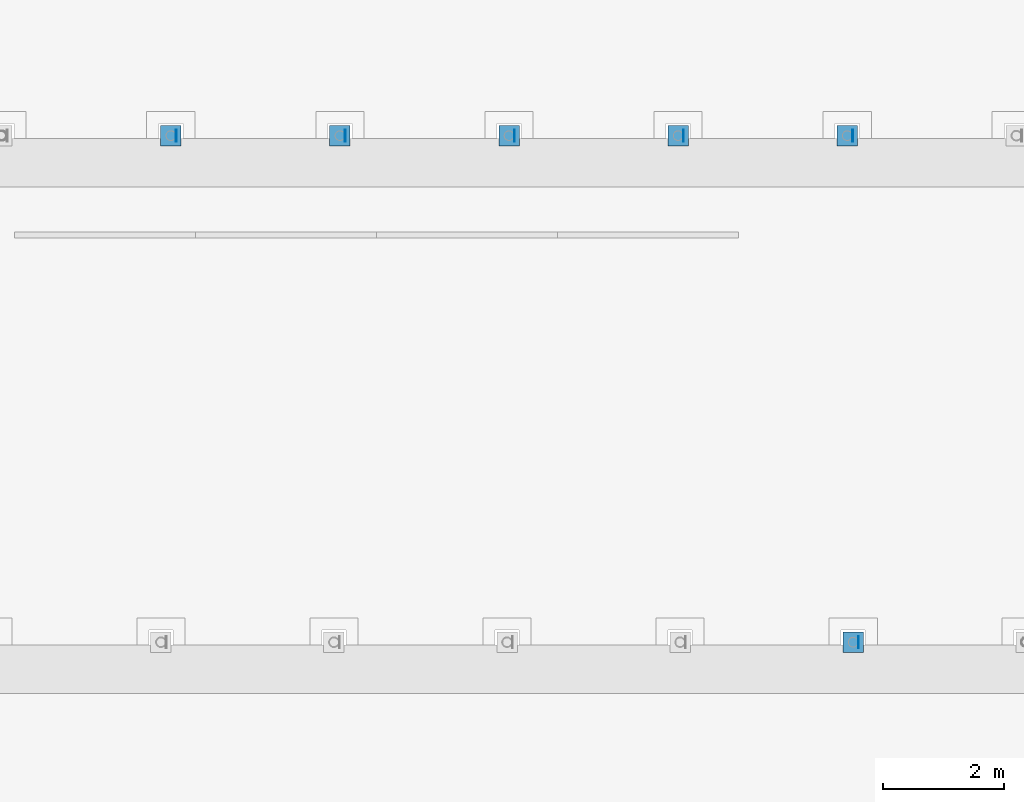
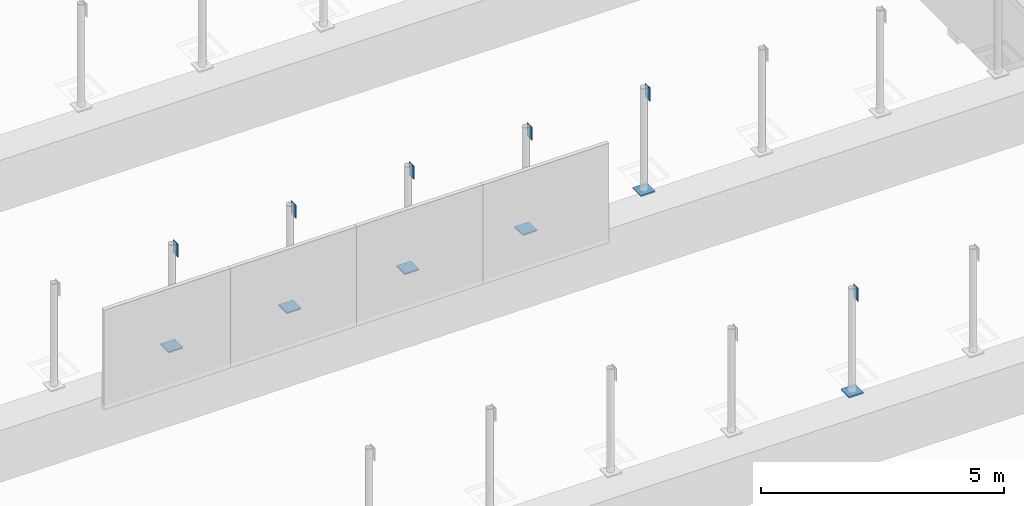
# One storey, part 35 of 47: 12 discrete accessories.
"""IFC4 building model written with IfcOpenShell, lengths in metres."""

import ifcopenshell
import ifcopenshell.guid

model = None  # the IFC model being written
_history = None  # IfcOwnerHistory: only IFC2X3 demands one
_inside = {}  # id of a spatial element -> (the spatial element, [elements in it])
_under = {}  # id of a project, library or spatial element -> (it, [spatial elements below it])
_declared = {}  # id of a project -> (the project, [libraries it declares])
_typed = {}  # id of a type object -> (the type object, [elements of that type])
_made_of = {}  # id of a material, layer set ... -> (it, [elements and type objects made of it])


def new_model(schema):
    """Start an empty IFC model of exactly this schema.

    Asked for "IFC4X3", IfcOpenShell would pick the latest addendum, in which some entities
    have other attributes; the version numbers below select the first issue.
    IFC2X3 requires an IfcOwnerHistory on every rooted entity: one is made here for all.
    """
    global model, _history
    if schema == "IFC4X3":
        model = ifcopenshell.file(schema_version=(4, 3, 0, 0))
    else:
        model = ifcopenshell.file(schema=schema)
    _inside.clear()
    _under.clear()
    _declared.clear()
    _typed.clear()
    _made_of.clear()
    _history = None
    if model.schema == "IFC2X3":
        org = make("IfcOrganization", Name="unknown")
        user = make(
            "IfcPersonAndOrganization",
            ThePerson=make("IfcPerson", FamilyName="unknown"),
            TheOrganization=org,
        )
        app = make(
            "IfcApplication",
            ApplicationDeveloper=org,
            Version="unknown",
            ApplicationFullName="unknown",
            ApplicationIdentifier="unknown",
        )
        _history = make(
            "IfcOwnerHistory",
            OwningUser=user,
            OwningApplication=app,
            ChangeAction="ADDED",
            CreationDate=0,
        )
    return model


def make(cls, **values):
    """One entity of the class cls with the attributes given. An attribute that is None is left unset."""
    return model.create_entity(
        cls, **{name: value for name, value in values.items() if value is not None}
    )


def rooted(cls, **values):
    """An entity with a GlobalId (a new one), such as an element, a storey or a relation."""
    return make(cls, GlobalId=ifcopenshell.guid.new(), OwnerHistory=_history, **values)


def si_unit(unit_type, name, prefix=None):
    """IfcSIUnit, for example si_unit("LENGTHUNIT", "METRE", prefix="MILLI")."""
    return make("IfcSIUnit", UnitType=unit_type, Prefix=prefix, Name=name)


def assignment(units):
    """IfcUnitAssignment: the units of a project."""
    return None if units is None else make("IfcUnitAssignment", Units=units)


def point(xyz):
    """IfcCartesianPoint."""
    return None if xyz is None else make("IfcCartesianPoint", Coordinates=xyz)


def direction(xyz):
    """IfcDirection."""
    return None if xyz is None else make("IfcDirection", DirectionRatios=xyz)


def frame(location, z_axis=None, x_axis=None):
    """IfcAxis2Placement3D, a coordinate frame: its origin and axes. An axis left out is left unset."""
    return make(
        "IfcAxis2Placement3D",
        Location=point(location),
        Axis=direction(z_axis),
        RefDirection=direction(x_axis),
    )


def frame_2d(location, x_axis=None):
    """IfcAxis2Placement2D, a coordinate frame in the plane: its origin and x axis."""
    return make(
        "IfcAxis2Placement2D", Location=point(location), RefDirection=direction(x_axis)
    )


def origin():
    """The frame at (0, 0, 0) with its axes left unset."""
    return frame((0.0, 0.0, 0.0))


def origin_2d():
    """The frame at (0, 0) in the plane with its x axis left unset."""
    return frame_2d((0.0, 0.0))


def place(relative_to, where):
    """IfcLocalPlacement: puts the frame where relative to a parent placement (None: the world)."""
    return make(
        "IfcLocalPlacement", PlacementRelTo=relative_to, RelativePlacement=where
    )


def context(
    kind, dimensions, precision=None, world=None, true_north=None, identifier=None
):
    """IfcGeometricRepresentationContext, for example the 3D "Model" context."""
    return make(
        "IfcGeometricRepresentationContext",
        ContextIdentifier=identifier,
        ContextType=kind,
        CoordinateSpaceDimension=dimensions,
        Precision=precision,
        WorldCoordinateSystem=world,
        TrueNorth=true_north,
    )


def subcontext(parent, identifier, kind, view, scale=None):
    """IfcGeometricRepresentationSubContext, for example "Body" below "Model"."""
    return make(
        "IfcGeometricRepresentationSubContext",
        ContextIdentifier=identifier,
        ContextType=kind,
        ParentContext=parent,
        TargetScale=scale,
        TargetView=view,
    )


def project(units=None, contexts=None):
    """IfcProject with its units and contexts."""
    return rooted(
        "IfcProject",
        Name="project",
        RepresentationContexts=contexts,
        UnitsInContext=assignment(units),
    )


def spatial(cls, under=None, at=None, **own):
    """A site, building, storey or space (cls), placed at a placement, below another one or the project."""
    s = rooted(cls, ObjectPlacement=at, **own)
    if under is not None:
        _under.setdefault(under.id(), (under, []))[1].append(s)
    return s


def profile(cls, at=None, kind="AREA", **sizes):
    """A parametric profile (cls). Its sizes go by their IFC names, for example OverallWidth=200.0."""
    return make(cls, ProfileType=kind, Position=at, **sizes)


def rectangle(**sizes):
    """IfcRectangleProfileDef."""
    return profile("IfcRectangleProfileDef", **sizes)


def extrude(swept, where, along, depth):
    """IfcExtrudedAreaSolid: the profile swept, set in the frame where, extruded along a direction by depth."""
    return make(
        "IfcExtrudedAreaSolid",
        SweptArea=swept,
        Position=where,
        ExtrudedDirection=direction(along),
        Depth=depth,
    )


def shape(context_of_items, identifier, shape_type, items):
    """IfcShapeRepresentation: the items that make up one representation, for example the "Body"."""
    return make(
        "IfcShapeRepresentation",
        ContextOfItems=context_of_items,
        RepresentationIdentifier=identifier,
        RepresentationType=shape_type,
        Items=items,
    )


def material(Name=None, Category=None):
    """IfcMaterial."""
    return make("IfcMaterial", Name=Name, Category=Category)


def layer(
    of_material, thickness, ventilated=None, Name=None, Category=None, Priority=None
):
    """IfcMaterialLayer: one layer of a wall or slab, of a material (None: an air gap)."""
    return make(
        "IfcMaterialLayer",
        Material=of_material,
        LayerThickness=thickness,
        IsVentilated=ventilated,
        Name=Name,
        Category=Category,
        Priority=Priority,
    )


def layer_set(layers, Name=None):
    """IfcMaterialLayerSet."""
    return make("IfcMaterialLayerSet", MaterialLayers=layers, LayerSetName=Name)


def material_profile(
    of_material, cross_section, Name=None, Category=None, Priority=None
):
    """IfcMaterialProfile: a cross section and its material."""
    return make(
        "IfcMaterialProfile",
        Name=Name,
        Material=of_material,
        Profile=cross_section,
        Priority=Priority,
        Category=Category,
    )


def profile_set(profiles, Name=None, composite=None):
    """IfcMaterialProfileSet."""
    return make(
        "IfcMaterialProfileSet",
        Name=Name,
        MaterialProfiles=profiles,
        CompositeProfile=composite,
    )


def made_of(thing, what):
    """Note that an element or type object is made of a material, layer set ...; save() writes the relation."""
    if what is not None:
        _made_of.setdefault(what.id(), (what, []))[1].append(thing)
    return thing


def type_object(cls, material=None, **own):
    """A type object (cls), such as IfcWallType, which elements share."""
    return made_of(rooted(cls, **own), material)


def element(
    cls,
    number,
    at=None,
    inside=None,
    cuts=None,
    type_object=None,
    material=None,
    context=None,
    identifier="Body",
    shape_type=None,
    held_by="IfcProductDefinitionShape",
    body=None,
    shapes=None,
    **own,
):
    """One element of the class cls, such as IfcWall. Its Tag is "e" and its number.

    at: its placement. inside: the storey or other place that contains it. cuts: it is an
    opening in that element (IfcRelVoidsElement). A single representation is given by context,
    identifier, shape_type and body (its items); several are given by shapes. held_by: the class
    of the entity that holds the representations. save() writes the other relations.
    """
    e = rooted(cls, Tag="e%d" % number, ObjectPlacement=at, **own)
    if body is not None:
        shapes = [shape(context, identifier, shape_type, body)]
    if shapes is not None:
        e.Representation = make(held_by, Representations=shapes)
    if inside is not None:
        _inside.setdefault(inside.id(), (inside, []))[1].append(e)
    if cuts is not None:
        rooted(
            "IfcRelVoidsElement", RelatingBuildingElement=cuts, RelatedOpeningElement=e
        )
    if type_object is not None:
        _typed.setdefault(type_object.id(), (type_object, []))[1].append(e)
    return made_of(e, material)


def aggregate(whole, parts):
    """IfcRelAggregates: a whole, such as a stair, and the parts it consists of."""
    return rooted("IfcRelAggregates", RelatingObject=whole, RelatedObjects=parts)


def save(model, path):
    """Write the relations noted so far, then the file.

    IfcRelAggregates (storeys below a building ...), IfcRelContainedInSpatialStructure (elements
    in a storey), IfcRelDefinesByType, IfcRelAssociatesMaterial and IfcRelDeclares: one each for
    every whole, place, type object, material and project.
    """
    for whole, parts in _under.values():
        aggregate(whole, parts)
    for where, things in _inside.values():
        rooted(
            "IfcRelContainedInSpatialStructure",
            RelatedElements=things,
            RelatingStructure=where,
        )
    for kind, things in _typed.values():
        rooted("IfcRelDefinesByType", RelatedObjects=things, RelatingType=kind)
    for what, things in _made_of.values():
        rooted("IfcRelAssociatesMaterial", RelatedObjects=things, RelatingMaterial=what)
    for by, libraries in _declared.values():
        rooted("IfcRelDeclares", RelatingContext=by, RelatedDefinitions=libraries)
    model.write(path)


model = new_model("IFC4")

# Units and contexts
model_context = context("Model", 3, precision=1e-05, world=origin(), true_north=direction((0.0, 1.0)))
body_context = subcontext(model_context, "Body", "Model", "MODEL_VIEW")
ifc_project = project(units=[si_unit("LENGTHUNIT", "METRE"), si_unit("AREAUNIT", "SQUARE_METRE"), si_unit("VOLUMEUNIT", "CUBIC_METRE"), si_unit("PLANEANGLEUNIT", "RADIAN"), si_unit("MASSUNIT", "GRAM", prefix="KILO")], contexts=[model_context])

# Site, building, storey
site_placement = place(None, origin())
site = spatial("IfcSite", under=ifc_project, at=site_placement, CompositionType="ELEMENT")
building_placement = place(site_placement, origin())
building = spatial("IfcBuilding", under=site, at=building_placement, Name="Larchfold Concert Hall", CompositionType="ELEMENT")
storey_placement = place(building_placement, frame((0.0, 0.0, 24.0)))
storey = spatial("IfcBuildingStorey", under=building, at=storey_placement, Name="L05", CompositionType="ELEMENT", Elevation=24.0)

# Discrete accessories
ifc_material_1 = material(Name="Steel S355 galvanised bracket", Category="steel")
ifc_material_profile = material_profile(ifc_material_1, rectangle(XDim=0.011962890625, YDim=0.199951171875, at=origin_2d()))
ifc_profile_set = profile_set([ifc_material_profile], Name="Steel S355 galvanised bracket")
discrete_accessory_type_1 = type_object("IfcDiscreteAccessoryType", Name="Gusset plate 12x200", PredefinedType="BRACKET", material=ifc_profile_set)
for number, where, z_axis, x_axis, name in (
    (1, (46.995361328125, 68.25, 4.33837890625), (0.0, 0.0, 1.0), (1.0, 0.0, 0.0), "Gusset plate GP0079"),
    (2, (35.6796875, 76.650146484375, 4.3134765625), (0.0, 0.0, 1.0), (1.0, 0.0, 0.0), "Gusset plate GP0085"),
    (3, (38.48388671875, 76.650146484375, 4.3134765625), (0.0, 0.0, 1.0), (1.0, 0.0, 0.0), "Gusset plate GP0086"),
    (4, (41.2880859375, 76.650146484375, 4.30859375), (0.0, 0.0, 1.0), (1.0, 0.0, 0.0), "Gusset plate GP0087"),
    (5, (44.09228515625, 76.650146484375, 4.30859375), (0.0, 0.0, 1.0), (1.0, 0.0, 0.0), "Gusset plate GP0088"),
    (6, (46.896484375, 76.650146484375, 4.3134765625), (0.0, 0.0, 1.0), (1.0, 0.0, 0.0), "Gusset plate GP0089"),
):
    element("IfcDiscreteAccessory", number, at=place(storey_placement, frame(where, z_axis=z_axis, x_axis=x_axis)), inside=storey, type_object=discrete_accessory_type_1, Name=name, PredefinedType="BRACKET", context=body_context, shape_type="SweptSolid", body=[
        extrude(rectangle(XDim=0.011962890625, YDim=0.199951171875, at=origin_2d()), origin(), (0.0, 0.0, 1.0), 0.336669921875),
    ])
ifc_material_2 = material(Name="Steel S355 galvanised bracket", Category="steel")
ifc_layer = layer(ifc_material_2, 0.030029296875)
ifc_layer_set = layer_set([ifc_layer], Name="Steel S355 galvanised bracket")
discrete_accessory_type_2 = type_object("IfcDiscreteAccessoryType", Name="Post base plate 340x340x30", PredefinedType="BRACKET", material=ifc_layer_set)
for number, where, z_axis, x_axis, name in (
    (7, (46.9052734375, 68.25, 2.0498046875), (0.0, 0.0, 1.0), (1.0, 0.0, 0.0), "Post base plate BP007"),
    (8, (35.589599609375, 76.650146484375, 2.0498046875), (0.0, 0.0, 1.0), (1.0, 0.0, 0.0), "Post base plate BP013"),
    (9, (38.393798828125, 76.650146484375, 2.0498046875), (0.0, 0.0, 1.0), (1.0, 0.0, 0.0), "Post base plate BP014"),
    (10, (41.197998046875, 76.650146484375, 2.0498046875), (0.0, 0.0, 1.0), (1.0, 0.0, 0.0), "Post base plate BP015"),
    (11, (44.002197265625, 76.650146484375, 2.0498046875), (0.0, 0.0, 1.0), (1.0, 0.0, 0.0), "Post base plate BP016"),
    (12, (46.806396484375, 76.650146484375, 2.0498046875), (0.0, 0.0, 1.0), (1.0, 0.0, 0.0), "Post base plate BP017"),
):
    element("IfcDiscreteAccessory", number, at=place(storey_placement, frame(where, z_axis=z_axis, x_axis=x_axis)), inside=storey, type_object=discrete_accessory_type_2, Name=name, PredefinedType="BRACKET", context=body_context, shape_type="SweptSolid", body=[
        extrude(rectangle(XDim=0.340087890625, YDim=0.340087890625, at=origin_2d()), origin(), (0.0, 0.0, 1.0), 0.030029296875),
    ])

save(model, "model.ifc")
